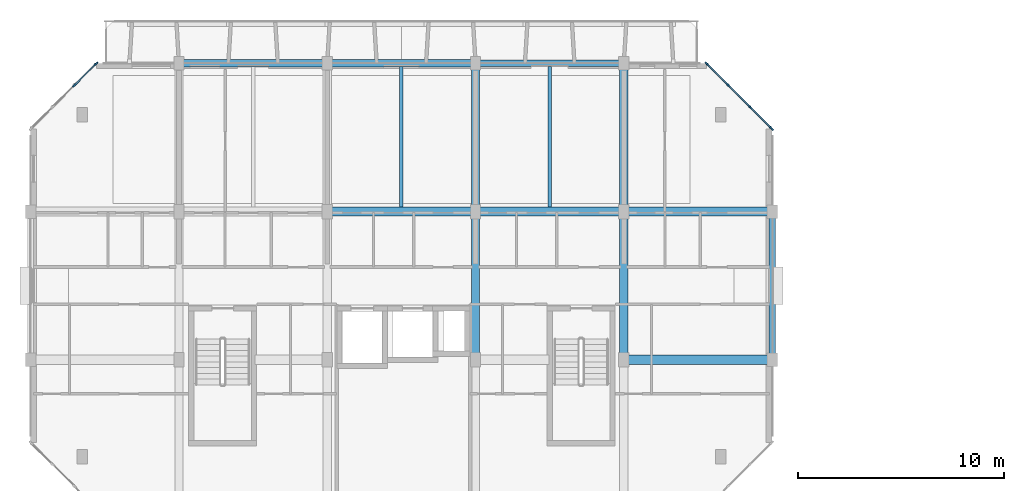
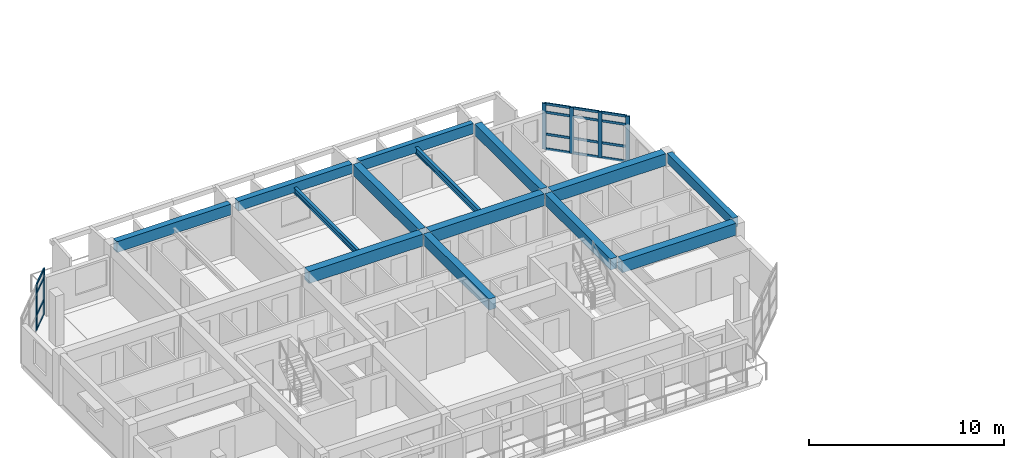
# One storey, part 5 of 43: 22 members, 14 beams, 2 elements without a shape of their own.
"""IFC4 building model written with IfcOpenShell, lengths in metres."""

import ifcopenshell
import ifcopenshell.guid

model = None  # the IFC model being written
_history = None  # IfcOwnerHistory: only IFC2X3 demands one
_inside = {}  # id of a spatial element -> (the spatial element, [elements in it])
_under = {}  # id of a project, library or spatial element -> (it, [spatial elements below it])
_declared = {}  # id of a project -> (the project, [libraries it declares])
_typed = {}  # id of a type object -> (the type object, [elements of that type])
_made_of = {}  # id of a material, layer set ... -> (it, [elements and type objects made of it])


def new_model(schema):
    """Start an empty IFC model of exactly this schema.

    Asked for "IFC4X3", IfcOpenShell would pick the latest addendum, in which some entities
    have other attributes; the version numbers below select the first issue.
    IFC2X3 requires an IfcOwnerHistory on every rooted entity: one is made here for all.
    """
    global model, _history
    if schema == "IFC4X3":
        model = ifcopenshell.file(schema_version=(4, 3, 0, 0))
    else:
        model = ifcopenshell.file(schema=schema)
    _inside.clear()
    _under.clear()
    _declared.clear()
    _typed.clear()
    _made_of.clear()
    _history = None
    if model.schema == "IFC2X3":
        org = make("IfcOrganization", Name="unknown")
        user = make(
            "IfcPersonAndOrganization",
            ThePerson=make("IfcPerson", FamilyName="unknown"),
            TheOrganization=org,
        )
        app = make(
            "IfcApplication",
            ApplicationDeveloper=org,
            Version="unknown",
            ApplicationFullName="unknown",
            ApplicationIdentifier="unknown",
        )
        _history = make(
            "IfcOwnerHistory",
            OwningUser=user,
            OwningApplication=app,
            ChangeAction="ADDED",
            CreationDate=0,
        )
    return model


def make(cls, **values):
    """One entity of the class cls with the attributes given. An attribute that is None is left unset."""
    return model.create_entity(
        cls, **{name: value for name, value in values.items() if value is not None}
    )


def rooted(cls, **values):
    """An entity with a GlobalId (a new one), such as an element, a storey or a relation."""
    return make(cls, GlobalId=ifcopenshell.guid.new(), OwnerHistory=_history, **values)


def si_unit(unit_type, name, prefix=None):
    """IfcSIUnit, for example si_unit("LENGTHUNIT", "METRE", prefix="MILLI")."""
    return make("IfcSIUnit", UnitType=unit_type, Prefix=prefix, Name=name)


def assignment(units):
    """IfcUnitAssignment: the units of a project."""
    return None if units is None else make("IfcUnitAssignment", Units=units)


def point(xyz):
    """IfcCartesianPoint."""
    return None if xyz is None else make("IfcCartesianPoint", Coordinates=xyz)


def direction(xyz):
    """IfcDirection."""
    return None if xyz is None else make("IfcDirection", DirectionRatios=xyz)


def frame(location, z_axis=None, x_axis=None):
    """IfcAxis2Placement3D, a coordinate frame: its origin and axes. An axis left out is left unset."""
    return make(
        "IfcAxis2Placement3D",
        Location=point(location),
        Axis=direction(z_axis),
        RefDirection=direction(x_axis),
    )


def frame_2d(location, x_axis=None):
    """IfcAxis2Placement2D, a coordinate frame in the plane: its origin and x axis."""
    return make(
        "IfcAxis2Placement2D", Location=point(location), RefDirection=direction(x_axis)
    )


def origin():
    """The frame at (0, 0, 0) with its axes left unset."""
    return frame((0.0, 0.0, 0.0))


def origin_2d():
    """The frame at (0, 0) in the plane with its x axis left unset."""
    return frame_2d((0.0, 0.0))


def place(relative_to, where):
    """IfcLocalPlacement: puts the frame where relative to a parent placement (None: the world)."""
    return make(
        "IfcLocalPlacement", PlacementRelTo=relative_to, RelativePlacement=where
    )


def context(
    kind, dimensions, precision=None, world=None, true_north=None, identifier=None
):
    """IfcGeometricRepresentationContext, for example the 3D "Model" context."""
    return make(
        "IfcGeometricRepresentationContext",
        ContextIdentifier=identifier,
        ContextType=kind,
        CoordinateSpaceDimension=dimensions,
        Precision=precision,
        WorldCoordinateSystem=world,
        TrueNorth=true_north,
    )


def subcontext(parent, identifier, kind, view, scale=None):
    """IfcGeometricRepresentationSubContext, for example "Body" below "Model"."""
    return make(
        "IfcGeometricRepresentationSubContext",
        ContextIdentifier=identifier,
        ContextType=kind,
        ParentContext=parent,
        TargetScale=scale,
        TargetView=view,
    )


def project(units=None, contexts=None):
    """IfcProject with its units and contexts."""
    return rooted(
        "IfcProject",
        Name="project",
        RepresentationContexts=contexts,
        UnitsInContext=assignment(units),
    )


def spatial(cls, under=None, at=None, **own):
    """A site, building, storey or space (cls), placed at a placement, below another one or the project."""
    s = rooted(cls, ObjectPlacement=at, **own)
    if under is not None:
        _under.setdefault(under.id(), (under, []))[1].append(s)
    return s


def profile(cls, at=None, kind="AREA", **sizes):
    """A parametric profile (cls). Its sizes go by their IFC names, for example OverallWidth=200.0."""
    return make(cls, ProfileType=kind, Position=at, **sizes)


def rectangle(**sizes):
    """IfcRectangleProfileDef."""
    return profile("IfcRectangleProfileDef", **sizes)


def i_section(**sizes):
    """IfcIShapeProfileDef."""
    return profile("IfcIShapeProfileDef", **sizes)


def extrude(swept, where, along, depth):
    """IfcExtrudedAreaSolid: the profile swept, set in the frame where, extruded along a direction by depth."""
    return make(
        "IfcExtrudedAreaSolid",
        SweptArea=swept,
        Position=where,
        ExtrudedDirection=direction(along),
        Depth=depth,
    )


def shape(context_of_items, identifier, shape_type, items):
    """IfcShapeRepresentation: the items that make up one representation, for example the "Body"."""
    return make(
        "IfcShapeRepresentation",
        ContextOfItems=context_of_items,
        RepresentationIdentifier=identifier,
        RepresentationType=shape_type,
        Items=items,
    )


def material(Name=None, Category=None):
    """IfcMaterial."""
    return make("IfcMaterial", Name=Name, Category=Category)


def layer(
    of_material, thickness, ventilated=None, Name=None, Category=None, Priority=None
):
    """IfcMaterialLayer: one layer of a wall or slab, of a material (None: an air gap)."""
    return make(
        "IfcMaterialLayer",
        Material=of_material,
        LayerThickness=thickness,
        IsVentilated=ventilated,
        Name=Name,
        Category=Category,
        Priority=Priority,
    )


def layer_set(layers, Name=None):
    """IfcMaterialLayerSet."""
    return make("IfcMaterialLayerSet", MaterialLayers=layers, LayerSetName=Name)


def material_profile(
    of_material, cross_section, Name=None, Category=None, Priority=None
):
    """IfcMaterialProfile: a cross section and its material."""
    return make(
        "IfcMaterialProfile",
        Name=Name,
        Material=of_material,
        Profile=cross_section,
        Priority=Priority,
        Category=Category,
    )


def profile_set(profiles, Name=None, composite=None):
    """IfcMaterialProfileSet."""
    return make(
        "IfcMaterialProfileSet",
        Name=Name,
        MaterialProfiles=profiles,
        CompositeProfile=composite,
    )


def made_of(thing, what):
    """Note that an element or type object is made of a material, layer set ...; save() writes the relation."""
    if what is not None:
        _made_of.setdefault(what.id(), (what, []))[1].append(thing)
    return thing


def type_object(cls, material=None, **own):
    """A type object (cls), such as IfcWallType, which elements share."""
    return made_of(rooted(cls, **own), material)


def element(
    cls,
    number,
    at=None,
    inside=None,
    cuts=None,
    type_object=None,
    material=None,
    context=None,
    identifier="Body",
    shape_type=None,
    held_by="IfcProductDefinitionShape",
    body=None,
    shapes=None,
    **own,
):
    """One element of the class cls, such as IfcWall. Its Tag is "e" and its number.

    at: its placement. inside: the storey or other place that contains it. cuts: it is an
    opening in that element (IfcRelVoidsElement). A single representation is given by context,
    identifier, shape_type and body (its items); several are given by shapes. held_by: the class
    of the entity that holds the representations. save() writes the other relations.
    """
    e = rooted(cls, Tag="e%d" % number, ObjectPlacement=at, **own)
    if body is not None:
        shapes = [shape(context, identifier, shape_type, body)]
    if shapes is not None:
        e.Representation = make(held_by, Representations=shapes)
    if inside is not None:
        _inside.setdefault(inside.id(), (inside, []))[1].append(e)
    if cuts is not None:
        rooted(
            "IfcRelVoidsElement", RelatingBuildingElement=cuts, RelatedOpeningElement=e
        )
    if type_object is not None:
        _typed.setdefault(type_object.id(), (type_object, []))[1].append(e)
    return made_of(e, material)


def aggregate(whole, parts):
    """IfcRelAggregates: a whole, such as a stair, and the parts it consists of."""
    return rooted("IfcRelAggregates", RelatingObject=whole, RelatedObjects=parts)


def save(model, path):
    """Write the relations noted so far, then the file.

    IfcRelAggregates (storeys below a building ...), IfcRelContainedInSpatialStructure (elements
    in a storey), IfcRelDefinesByType, IfcRelAssociatesMaterial and IfcRelDeclares: one each for
    every whole, place, type object, material and project.
    """
    for whole, parts in _under.values():
        aggregate(whole, parts)
    for where, things in _inside.values():
        rooted(
            "IfcRelContainedInSpatialStructure",
            RelatedElements=things,
            RelatingStructure=where,
        )
    for kind, things in _typed.values():
        rooted("IfcRelDefinesByType", RelatedObjects=things, RelatingType=kind)
    for what, things in _made_of.values():
        rooted("IfcRelAssociatesMaterial", RelatedObjects=things, RelatingMaterial=what)
    for by, libraries in _declared.values():
        rooted("IfcRelDeclares", RelatingContext=by, RelatedDefinitions=libraries)
    model.write(path)


model = new_model("IFC4")

# Units and contexts
model_context = context("Model", 3, precision=1e-05, world=origin(), true_north=direction((0.0, 1.0)))
body_context = subcontext(model_context, "Body", "Model", "MODEL_VIEW")
ifc_project = project(units=[si_unit("LENGTHUNIT", "METRE"), si_unit("AREAUNIT", "SQUARE_METRE"), si_unit("VOLUMEUNIT", "CUBIC_METRE"), si_unit("PLANEANGLEUNIT", "RADIAN"), si_unit("MASSUNIT", "GRAM", prefix="KILO")], contexts=[model_context])

# Site, building, storey
site_placement = place(None, origin())
site = spatial("IfcSite", under=ifc_project, at=site_placement, CompositionType="ELEMENT")
building_placement = place(site_placement, origin())
building = spatial("IfcBuilding", under=site, at=building_placement, Name="Ochrevale Crest", CompositionType="ELEMENT")
storey_placement = place(building_placement, frame((0.0, 0.0, 15.0)))
storey = spatial("IfcBuildingStorey", under=building, at=storey_placement, Name="L04", CompositionType="ELEMENT", Elevation=15.0)

# Beams
ifc_material_1 = material(Name="Precast concrete C50/60", Category="concrete")
ifc_material_profile_1 = material_profile(ifc_material_1, rectangle(XDim=0.39990234375, YDim=0.699951171875, at=origin_2d()), Name="PC 400x700")
ifc_profile_set_1 = profile_set([ifc_material_profile_1], Name="Precast concrete C50/60")
beam_type_1 = type_object("IfcBeamType", Name="BM-PC400x700", PredefinedType="BEAM", material=ifc_profile_set_1)
beam_1_placement = place(storey_placement, frame((21.60009765625, 79.429931640625, 2.800048828125), z_axis=(0.0, 1.0, 0.0), x_axis=(-1.0, 0.0, 0.0)))
element("IfcBeam", 1, at=beam_1_placement, inside=storey, type_object=beam_type_1, Name="Block B L04 N-S beam X=21.6", PredefinedType="BEAM", context=body_context, shape_type="SweptSolid", body=[
    extrude(rectangle(XDim=0.39990234375, YDim=0.699951171875, at=origin_2d()), origin(), (0.0, 0.0, 1.0), 6.739990234375),
])
beam_2_placement = place(storey_placement, frame((21.60009765625, 86.6298828125, 2.800048828125), z_axis=(0.0, 1.0, 0.0), x_axis=(-1.0, 0.0, 0.0)))
element("IfcBeam", 2, at=beam_2_placement, inside=storey, type_object=beam_type_1, Name="Block B L04 N-S beam X=21.6", PredefinedType="BEAM", context=body_context, shape_type="SweptSolid", body=[
    extrude(rectangle(XDim=0.39990234375, YDim=0.699951171875, at=origin_2d()), origin(), (0.0, 0.0, 1.0), 6.740234375),
])
beam_3_placement = place(storey_placement, frame((28.800048828125, 79.429931640625, 2.800048828125), z_axis=(0.0, 1.0, 0.0), x_axis=(-1.0, 0.0, 0.0)))
element("IfcBeam", 3, at=beam_3_placement, inside=storey, type_object=beam_type_1, Name="Block B L04 N-S beam X=28.8", PredefinedType="BEAM", context=body_context, shape_type="SweptSolid", body=[
    extrude(rectangle(XDim=0.39990234375, YDim=0.699951171875, at=origin_2d()), origin(), (0.0, 0.0, 1.0), 6.739990234375),
])
beam_4_placement = place(storey_placement, frame((28.800048828125, 86.6298828125, 2.800048828125), z_axis=(0.0, 1.0, 0.0), x_axis=(-1.0, 0.0, 0.0)))
element("IfcBeam", 4, at=beam_4_placement, inside=storey, type_object=beam_type_1, Name="Block B L04 N-S beam X=28.8", PredefinedType="BEAM", context=body_context, shape_type="SweptSolid", body=[
    extrude(rectangle(XDim=0.39990234375, YDim=0.699951171875, at=origin_2d()), origin(), (0.0, 0.0, 1.0), 6.740234375),
])
ifc_material_2 = material(Name="Concrete C50/60", Category="concrete")
ifc_material_profile_2 = material_profile(ifc_material_2, rectangle(XDim=0.449951171875, YDim=0.75, at=origin_2d()), Name="RC 450x750")
ifc_profile_set_2 = profile_set([ifc_material_profile_2], Name="Concrete C50/60")
beam_type_2 = type_object("IfcBeamType", Name="BM-PG450x750", PredefinedType="USERDEFINED", material=ifc_profile_set_2)
for number, where, z_axis, x_axis, name in (
    (5, (29.02490234375, 79.199951171875, 2.77490234375), (1.0, 0.0, 0.0), (0.0, 1.0, 0.0), "Block B L04 E-W beam Y=79.2"),
    (6, (14.625, 86.39990234375, 2.77490234375), (1.0, 0.0, 0.0), (0.0, 1.0, 0.0), "Block B L04 E-W beam Y=86.4"),
    (7, (21.824951171875, 86.39990234375, 2.77490234375), (1.0, 0.0, 0.0), (0.0, 1.0, 0.0), "Block B L04 E-W beam Y=86.4"),
    (8, (29.02490234375, 86.39990234375, 2.77490234375), (1.0, 0.0, 0.0), (0.0, 1.0, 0.0), "Block B L04 E-W beam Y=86.4"),
):
    element("IfcBeam", number, at=place(storey_placement, frame(where, z_axis=z_axis, x_axis=x_axis)), inside=storey, type_object=beam_type_2, Name=name, ObjectType="GIRDER", PredefinedType="USERDEFINED", context=body_context, shape_type="SweptSolid", body=[
        extrude(rectangle(XDim=0.449951171875, YDim=0.75, at=origin_2d()), origin(), (0.0, 0.0, 1.0), 6.75),
    ])
ifc_material_3 = material(Name="Precast concrete C40/50", Category="concrete")
ifc_material_profile_3 = material_profile(ifc_material_3, rectangle(XDim=0.300048828125, YDim=0.60009765625, at=origin_2d()), Name="PC 300x600")
ifc_profile_set_3 = profile_set([ifc_material_profile_3], Name="Precast concrete C40/50")
beam_type_3 = type_object("IfcBeamType", Name="BM-SP300x600", PredefinedType="SPANDREL", material=ifc_profile_set_3)
beam_5_placement = place(storey_placement, frame((36.0, 79.429931640625, 2.85009765625), z_axis=(0.0, 1.0, 0.0), x_axis=(-1.0, 0.0, 0.0)))
element("IfcBeam", 9, at=beam_5_placement, inside=storey, type_object=beam_type_3, Name="Block B L04 N-S beam X=36.0", PredefinedType="SPANDREL", context=body_context, shape_type="SweptSolid", body=[
    extrude(rectangle(XDim=0.300048828125, YDim=0.60009765625, at=origin_2d()), origin(), (0.0, 0.0, 1.0), 6.739990234375),
])
ifc_material_profile_4 = material_profile(ifc_material_3, rectangle(XDim=0.300048828125, YDim=0.64990234375, at=origin_2d()), Name="PC 300x650")
ifc_profile_set_4 = profile_set([ifc_material_profile_4], Name="Precast concrete C40/50")
beam_type_4 = type_object("IfcBeamType", Name="BM-SP300x650", PredefinedType="SPANDREL", material=ifc_profile_set_4)
beam_6_placement = place(storey_placement, frame((21.824951171875, 93.60009765625, 2.824951171875), z_axis=(1.0, 0.0, 0.0), x_axis=(0.0, 1.0, 0.0)))
element("IfcBeam", 10, at=beam_6_placement, inside=storey, type_object=beam_type_4, Name="Block B L04 E-W beam Y=93.6", PredefinedType="SPANDREL", context=body_context, shape_type="SweptSolid", body=[
    extrude(rectangle(XDim=0.300048828125, YDim=0.64990234375, at=origin_2d()), origin(), (0.0, 0.0, 1.0), 6.75),
])
ifc_material_profile_5 = material_profile(ifc_material_3, rectangle(XDim=0.35009765625, YDim=0.60009765625, at=origin_2d()), Name="PC 350x600")
ifc_profile_set_5 = profile_set([ifc_material_profile_5], Name="Precast concrete C40/50")
beam_type_5 = type_object("IfcBeamType", Name="BM-SP350x600", PredefinedType="SPANDREL", material=ifc_profile_set_5)
beam_7_placement = place(storey_placement, frame((14.625, 93.60009765625, 2.85009765625), z_axis=(1.0, 0.0, 0.0), x_axis=(0.0, 1.0, 0.0)))
element("IfcBeam", 11, at=beam_7_placement, inside=storey, type_object=beam_type_5, Name="Block B L04 E-W beam Y=93.6", PredefinedType="SPANDREL", context=body_context, shape_type="SweptSolid", body=[
    extrude(rectangle(XDim=0.35009765625, YDim=0.60009765625, at=origin_2d()), origin(), (0.0, 0.0, 1.0), 6.75),
])
ifc_material_profile_6 = material_profile(ifc_material_3, rectangle(XDim=0.35009765625, YDim=0.679931640625, at=origin_2d()), Name="PC 350x680")
ifc_profile_set_6 = profile_set([ifc_material_profile_6], Name="Precast concrete C40/50")
beam_type_6 = type_object("IfcBeamType", Name="BM-SP350x680", PredefinedType="SPANDREL", material=ifc_profile_set_6)
beam_8_placement = place(storey_placement, frame((7.425048828125, 93.60009765625, 2.81005859375), z_axis=(1.0, 0.0, 0.0), x_axis=(0.0, 1.0, 0.0)))
element("IfcBeam", 12, at=beam_8_placement, inside=storey, type_object=beam_type_6, Name="Block B L04 E-W beam Y=93.6", PredefinedType="SPANDREL", context=body_context, shape_type="SweptSolid", body=[
    extrude(rectangle(XDim=0.35009765625, YDim=0.679931640625, at=origin_2d()), origin(), (0.0, 0.0, 1.0), 6.75),
])
ifc_material_4 = material(Name="Steel S355", Category="steel")
ifc_material_profile_7 = material_profile(ifc_material_4, i_section(OverallWidth=0.172119140625, OverallDepth=0.358642578125, WebThickness=0.008056640625, FlangeThickness=0.012939453125, FilletRadius=0.011474609375, at=origin_2d()), Name="360UB56.7")
ifc_profile_set_7 = profile_set([ifc_material_profile_7], Name="Steel S355")
beam_type_7 = type_object("IfcBeamType", Name="BM-UB360B", PredefinedType="BEAM", material=ifc_profile_set_7)
beam_9_placement = place(storey_placement, frame((18.0, 86.613037109375, 2.69580078125), z_axis=(0.0, 1.0, 0.0), x_axis=(-1.0, 0.0, 0.0)))
element("IfcBeam", 13, at=beam_9_placement, inside=storey, type_object=beam_type_7, Name="Block B L04 composite plank trimmer beam 3", PredefinedType="BEAM", context=body_context, shape_type="SweptSolid", body=[
    extrude(i_section(OverallWidth=0.172119140625, OverallDepth=0.358642578125, WebThickness=0.008056640625, FlangeThickness=0.012939453125, FilletRadius=0.011474609375, at=origin_2d()), origin(), (0.0, 0.0, 1.0), 6.823974609375),
])
ifc_material_profile_8 = material_profile(ifc_material_4, i_section(OverallWidth=0.177734375, OverallDepth=0.402587890625, WebThickness=0.007568359375, FlangeThickness=0.010986328125, FilletRadius=0.011474609375, at=origin_2d()), Name="410UB53.7")
ifc_profile_set_8 = profile_set([ifc_material_profile_8], Name="Steel S355")
beam_type_8 = type_object("IfcBeamType", Name="BM-UB410A", PredefinedType="BEAM", material=ifc_profile_set_8)
beam_10_placement = place(storey_placement, frame((25.199951171875, 86.613037109375, 2.673583984375), z_axis=(0.0, 1.0, 0.0), x_axis=(-1.0, 0.0, 0.0)))
element("IfcBeam", 14, at=beam_10_placement, inside=storey, type_object=beam_type_8, Name="Block B L04 composite plank trimmer beam 4", PredefinedType="BEAM", context=body_context, shape_type="SweptSolid", body=[
    extrude(i_section(OverallWidth=0.177734375, OverallDepth=0.402587890625, WebThickness=0.007568359375, FlangeThickness=0.010986328125, FilletRadius=0.011474609375, at=origin_2d()), origin(), (0.0, 0.0, 1.0), 6.848876953125),
])

# Curtain wall, members
ifc_material_5 = material(Name="Anodised aluminium 6063-T5", Category="aluminium")
ifc_layer_1 = layer(ifc_material_5, 0.14990234375)
ifc_layer_set_1 = layer_set([ifc_layer_1], Name="Anodised aluminium 6063-T5")
curtain_wall_type_1 = type_object("IfcCurtainWallType", Name="CW-WG-360x285", PredefinedType="NOTDEFINED", material=ifc_layer_set_1)
curtain_wall_1_placement = place(storey_placement, origin())
curtain_wall_1 = element("IfcCurtainWall", 15, at=curtain_wall_1_placement, inside=storey, type_object=curtain_wall_type_1, Name="Block B L04 chamfered corner wintergarden curtain wall 4", PredefinedType="NOTDEFINED")
ifc_material_profile_9 = material_profile(ifc_material_5, rectangle(XDim=0.074951171875, YDim=0.219970703125, at=origin_2d()), Name="ALU 75x220")
ifc_profile_set_9 = profile_set([ifc_material_profile_9], Name="Anodised aluminium 6063-T5")
member_type_1 = type_object("IfcMemberType", Name="CW-MUL-75x220", PredefinedType="MULLION", material=ifc_profile_set_9)
member_1_placement = place(storey_placement, frame((35.973388671875, 90.426513671875, 0.0), z_axis=(0.0, 0.0, 1.0), x_axis=(-0.707106781187, -0.707106781187, 0.0)))
member_1 = element("IfcMember", 16, at=member_1_placement, type_object=member_type_1, Name="CW18 mullion 1", PredefinedType="MULLION", context=body_context, shape_type="SweptSolid", body=[
    extrude(rectangle(XDim=0.074951171875, YDim=0.219970703125, at=origin_2d()), origin(), (0.0, 0.0, 1.0), 2.875),
])
member_2_placement = place(storey_placement, frame((34.933349609375, 91.466552734375, 0.0), z_axis=(0.0, 0.0, 1.0), x_axis=(-0.707106781187, -0.707106781187, 0.0)))
member_2 = element("IfcMember", 17, at=member_2_placement, type_object=member_type_1, Name="CW18 mullion 2", PredefinedType="MULLION", context=body_context, shape_type="SweptSolid", body=[
    extrude(rectangle(XDim=0.074951171875, YDim=0.219970703125, at=origin_2d()), origin(), (0.0, 0.0, 1.0), 2.875),
])
member_3_placement = place(storey_placement, frame((33.86669921875, 92.533447265625, 0.0), z_axis=(0.0, 0.0, 1.0), x_axis=(-0.707106781187, -0.707106781187, 0.0)))
member_3 = element("IfcMember", 18, at=member_3_placement, type_object=member_type_1, Name="CW18 mullion 3", PredefinedType="MULLION", context=body_context, shape_type="SweptSolid", body=[
    extrude(rectangle(XDim=0.074951171875, YDim=0.219970703125, at=origin_2d()), origin(), (0.0, 0.0, 1.0), 2.875),
])
member_4_placement = place(storey_placement, frame((32.826416015625, 93.573486328125, 0.0), z_axis=(0.0, 0.0, 1.0), x_axis=(-0.707106781187, -0.707106781187, 0.0)))
member_4 = element("IfcMember", 19, at=member_4_placement, type_object=member_type_1, Name="CW18 mullion 4", PredefinedType="MULLION", context=body_context, shape_type="SweptSolid", body=[
    extrude(rectangle(XDim=0.074951171875, YDim=0.219970703125, at=origin_2d()), origin(), (0.0, 0.0, 1.0), 2.875),
])

ifc_layer_2 = layer(ifc_material_5, 0.14990234375)
ifc_layer_set_2 = layer_set([ifc_layer_2], Name="Anodised aluminium 6063-T5")
curtain_wall_type_2 = type_object("IfcCurtainWallType", Name="CW-WG-240x285", PredefinedType="NOTDEFINED", material=ifc_layer_set_2)
curtain_wall_2_placement = place(storey_placement, origin())
curtain_wall_2 = element("IfcCurtainWall", 20, at=curtain_wall_2_placement, inside=storey, type_object=curtain_wall_type_2, Name="Block B L04 chamfered corner wintergarden curtain wall 6", PredefinedType="NOTDEFINED")
member_5_placement = place(storey_placement, frame((3.173583984375, 93.573486328125, 0.0), z_axis=(0.0, 0.0, 1.0), x_axis=(0.707106781187, -0.707106781187, 0.0)))
member_5 = element("IfcMember", 21, at=member_5_placement, type_object=member_type_1, Name="CW15 mullion 1", PredefinedType="MULLION", context=body_context, shape_type="SweptSolid", body=[
    extrude(rectangle(XDim=0.074951171875, YDim=0.219970703125, at=origin_2d()), origin(), (0.0, 0.0, 1.0), 2.875),
])
member_6_placement = place(storey_placement, frame((2.13330078125, 92.533447265625, 0.0), z_axis=(0.0, 0.0, 1.0), x_axis=(0.707106781187, -0.707106781187, 0.0)))
member_6 = element("IfcMember", 22, at=member_6_placement, type_object=member_type_1, Name="CW15 mullion 2", PredefinedType="MULLION", context=body_context, shape_type="SweptSolid", body=[
    extrude(rectangle(XDim=0.074951171875, YDim=0.219970703125, at=origin_2d()), origin(), (0.0, 0.0, 1.0), 2.875),
])

# Member
ifc_material_profile_10 = material_profile(ifc_material_5, rectangle(XDim=0.06005859375, YDim=0.14990234375, at=origin_2d()), Name="ALU 60x150")
ifc_profile_set_10 = profile_set([ifc_material_profile_10], Name="Anodised aluminium 6063-T5")
member_type_2 = type_object("IfcMemberType", Name="CW-TRN-60x150", PredefinedType="USERDEFINED", material=ifc_profile_set_10)
member_7_placement = place(storey_placement, frame((35.947021484375, 90.453125, 0.030029296875), z_axis=(-0.707106781187, 0.707106781187, 0.0), x_axis=(-0.707106781187, -0.707106781187, 0.0)))
member_7 = element("IfcMember", 23, at=member_7_placement, type_object=member_type_2, Name="CW18 transom 1.1", ObjectType="TRANSOM", PredefinedType="USERDEFINED", context=body_context, shape_type="SweptSolid", body=[
    extrude(rectangle(XDim=0.06005859375, YDim=0.14990234375, at=origin_2d()), origin(), (0.0, 0.0, 1.0), 1.39599609375),
])

member_8_placement = place(storey_placement, frame((35.947021484375, 90.453125, 0.949951171875), z_axis=(-0.707106781187, 0.707106781187, 0.0), x_axis=(-0.707106781187, -0.707106781187, 0.0)))
member_8 = element("IfcMember", 24, at=member_8_placement, type_object=member_type_2, Name="CW18 transom 1.2", ObjectType="TRANSOM", PredefinedType="USERDEFINED", context=body_context, shape_type="SweptSolid", body=[
    extrude(rectangle(XDim=0.06005859375, YDim=0.14990234375, at=origin_2d()), origin(), (0.0, 0.0, 1.0), 1.39599609375),
])

member_9_placement = place(storey_placement, frame((35.947021484375, 90.453125, 2.324951171875), z_axis=(-0.707106781187, 0.707106781187, 0.0), x_axis=(-0.707106781187, -0.707106781187, 0.0)))
member_9 = element("IfcMember", 25, at=member_9_placement, type_object=member_type_2, Name="CW18 transom 1.3", ObjectType="TRANSOM", PredefinedType="USERDEFINED", context=body_context, shape_type="SweptSolid", body=[
    extrude(rectangle(XDim=0.06005859375, YDim=0.14990234375, at=origin_2d()), origin(), (0.0, 0.0, 1.0), 1.39599609375),
])

member_10_placement = place(storey_placement, frame((35.947021484375, 90.453125, 2.844970703125), z_axis=(-0.707106781187, 0.707106781187, 0.0), x_axis=(-0.707106781187, -0.707106781187, 0.0)))
member_10 = element("IfcMember", 26, at=member_10_placement, type_object=member_type_2, Name="CW18 transom 1.4", ObjectType="TRANSOM", PredefinedType="USERDEFINED", context=body_context, shape_type="SweptSolid", body=[
    extrude(rectangle(XDim=0.06005859375, YDim=0.14990234375, at=origin_2d()), origin(), (0.0, 0.0, 1.0), 1.39599609375),
])

member_11_placement = place(storey_placement, frame((34.90673828125, 91.4931640625, 0.030029296875), z_axis=(-0.707106781187, 0.707106781187, 0.0), x_axis=(-0.707106781187, -0.707106781187, 0.0)))
member_11 = element("IfcMember", 27, at=member_11_placement, type_object=member_type_2, Name="CW18 transom 2.1", ObjectType="TRANSOM", PredefinedType="USERDEFINED", context=body_context, shape_type="SweptSolid", body=[
    extrude(rectangle(XDim=0.06005859375, YDim=0.14990234375, at=origin_2d()), origin(), (0.0, 0.0, 1.0), 1.43359375),
])

member_12_placement = place(storey_placement, frame((34.90673828125, 91.4931640625, 0.949951171875), z_axis=(-0.707106781187, 0.707106781187, 0.0), x_axis=(-0.707106781187, -0.707106781187, 0.0)))
member_12 = element("IfcMember", 28, at=member_12_placement, type_object=member_type_2, Name="CW18 transom 2.2", ObjectType="TRANSOM", PredefinedType="USERDEFINED", context=body_context, shape_type="SweptSolid", body=[
    extrude(rectangle(XDim=0.06005859375, YDim=0.14990234375, at=origin_2d()), origin(), (0.0, 0.0, 1.0), 1.43359375),
])

member_13_placement = place(storey_placement, frame((34.90673828125, 91.4931640625, 2.324951171875), z_axis=(-0.707106781187, 0.707106781187, 0.0), x_axis=(-0.707106781187, -0.707106781187, 0.0)))
member_13 = element("IfcMember", 29, at=member_13_placement, type_object=member_type_2, Name="CW18 transom 2.3", ObjectType="TRANSOM", PredefinedType="USERDEFINED", context=body_context, shape_type="SweptSolid", body=[
    extrude(rectangle(XDim=0.06005859375, YDim=0.14990234375, at=origin_2d()), origin(), (0.0, 0.0, 1.0), 1.43359375),
])

member_14_placement = place(storey_placement, frame((34.90673828125, 91.4931640625, 2.844970703125), z_axis=(-0.707106781187, 0.707106781187, 0.0), x_axis=(-0.707106781187, -0.707106781187, 0.0)))
member_14 = element("IfcMember", 30, at=member_14_placement, type_object=member_type_2, Name="CW18 transom 2.4", ObjectType="TRANSOM", PredefinedType="USERDEFINED", context=body_context, shape_type="SweptSolid", body=[
    extrude(rectangle(XDim=0.06005859375, YDim=0.14990234375, at=origin_2d()), origin(), (0.0, 0.0, 1.0), 1.43359375),
])

member_15_placement = place(storey_placement, frame((33.840087890625, 92.559814453125, 0.030029296875), z_axis=(-0.707106781187, 0.707106781187, 0.0), x_axis=(-0.707106781187, -0.707106781187, 0.0)))
member_15 = element("IfcMember", 31, at=member_15_placement, type_object=member_type_2, Name="CW18 transom 3.1", ObjectType="TRANSOM", PredefinedType="USERDEFINED", context=body_context, shape_type="SweptSolid", body=[
    extrude(rectangle(XDim=0.06005859375, YDim=0.14990234375, at=origin_2d()), origin(), (0.0, 0.0, 1.0), 1.39599609375),
])

member_16_placement = place(storey_placement, frame((33.840087890625, 92.559814453125, 0.949951171875), z_axis=(-0.707106781187, 0.707106781187, 0.0), x_axis=(-0.707106781187, -0.707106781187, 0.0)))
member_16 = element("IfcMember", 32, at=member_16_placement, type_object=member_type_2, Name="CW18 transom 3.2", ObjectType="TRANSOM", PredefinedType="USERDEFINED", context=body_context, shape_type="SweptSolid", body=[
    extrude(rectangle(XDim=0.06005859375, YDim=0.14990234375, at=origin_2d()), origin(), (0.0, 0.0, 1.0), 1.39599609375),
])

member_17_placement = place(storey_placement, frame((33.840087890625, 92.559814453125, 2.324951171875), z_axis=(-0.707106781187, 0.707106781187, 0.0), x_axis=(-0.707106781187, -0.707106781187, 0.0)))
member_17 = element("IfcMember", 33, at=member_17_placement, type_object=member_type_2, Name="CW18 transom 3.3", ObjectType="TRANSOM", PredefinedType="USERDEFINED", context=body_context, shape_type="SweptSolid", body=[
    extrude(rectangle(XDim=0.06005859375, YDim=0.14990234375, at=origin_2d()), origin(), (0.0, 0.0, 1.0), 1.39599609375),
])

member_18_placement = place(storey_placement, frame((33.840087890625, 92.559814453125, 2.844970703125), z_axis=(-0.707106781187, 0.707106781187, 0.0), x_axis=(-0.707106781187, -0.707106781187, 0.0)))
member_18 = element("IfcMember", 34, at=member_18_placement, type_object=member_type_2, Name="CW18 transom 3.4", ObjectType="TRANSOM", PredefinedType="USERDEFINED", context=body_context, shape_type="SweptSolid", body=[
    extrude(rectangle(XDim=0.06005859375, YDim=0.14990234375, at=origin_2d()), origin(), (0.0, 0.0, 1.0), 1.39599609375),
])

aggregate(curtain_wall_1, [member_1, member_2, member_3, member_4, member_7, member_8, member_9, member_10, member_11, member_12, member_13, member_14, member_15, member_16, member_17, member_18])

member_19_placement = place(storey_placement, frame((3.14697265625, 93.546875, 0.030029296875), z_axis=(-0.707106781187, -0.707106781187, 0.0), x_axis=(0.707106781187, -0.707106781187, 0.0)))
member_19 = element("IfcMember", 35, at=member_19_placement, type_object=member_type_2, Name="CW15 transom 1.1", ObjectType="TRANSOM", PredefinedType="USERDEFINED", context=body_context, shape_type="SweptSolid", body=[
    extrude(rectangle(XDim=0.06005859375, YDim=0.14990234375, at=origin_2d()), origin(), (0.0, 0.0, 1.0), 1.39599609375),
])

member_20_placement = place(storey_placement, frame((3.14697265625, 93.546875, 0.949951171875), z_axis=(-0.707106781187, -0.707106781187, 0.0), x_axis=(0.707106781187, -0.707106781187, 0.0)))
member_20 = element("IfcMember", 36, at=member_20_placement, type_object=member_type_2, Name="CW15 transom 1.2", ObjectType="TRANSOM", PredefinedType="USERDEFINED", context=body_context, shape_type="SweptSolid", body=[
    extrude(rectangle(XDim=0.06005859375, YDim=0.14990234375, at=origin_2d()), origin(), (0.0, 0.0, 1.0), 1.39599609375),
])

member_21_placement = place(storey_placement, frame((3.14697265625, 93.546875, 2.324951171875), z_axis=(-0.707106781187, -0.707106781187, 0.0), x_axis=(0.707106781187, -0.707106781187, 0.0)))
member_21 = element("IfcMember", 37, at=member_21_placement, type_object=member_type_2, Name="CW15 transom 1.3", ObjectType="TRANSOM", PredefinedType="USERDEFINED", context=body_context, shape_type="SweptSolid", body=[
    extrude(rectangle(XDim=0.06005859375, YDim=0.14990234375, at=origin_2d()), origin(), (0.0, 0.0, 1.0), 1.39599609375),
])

member_22_placement = place(storey_placement, frame((3.14697265625, 93.546875, 2.844970703125), z_axis=(-0.707106781187, -0.707106781187, 0.0), x_axis=(0.707106781187, -0.707106781187, 0.0)))
member_22 = element("IfcMember", 38, at=member_22_placement, type_object=member_type_2, Name="CW15 transom 1.4", ObjectType="TRANSOM", PredefinedType="USERDEFINED", context=body_context, shape_type="SweptSolid", body=[
    extrude(rectangle(XDim=0.06005859375, YDim=0.14990234375, at=origin_2d()), origin(), (0.0, 0.0, 1.0), 1.39599609375),
])

aggregate(curtain_wall_2, [member_5, member_6, member_19, member_20, member_21, member_22])

save(model, "model.ifc")
